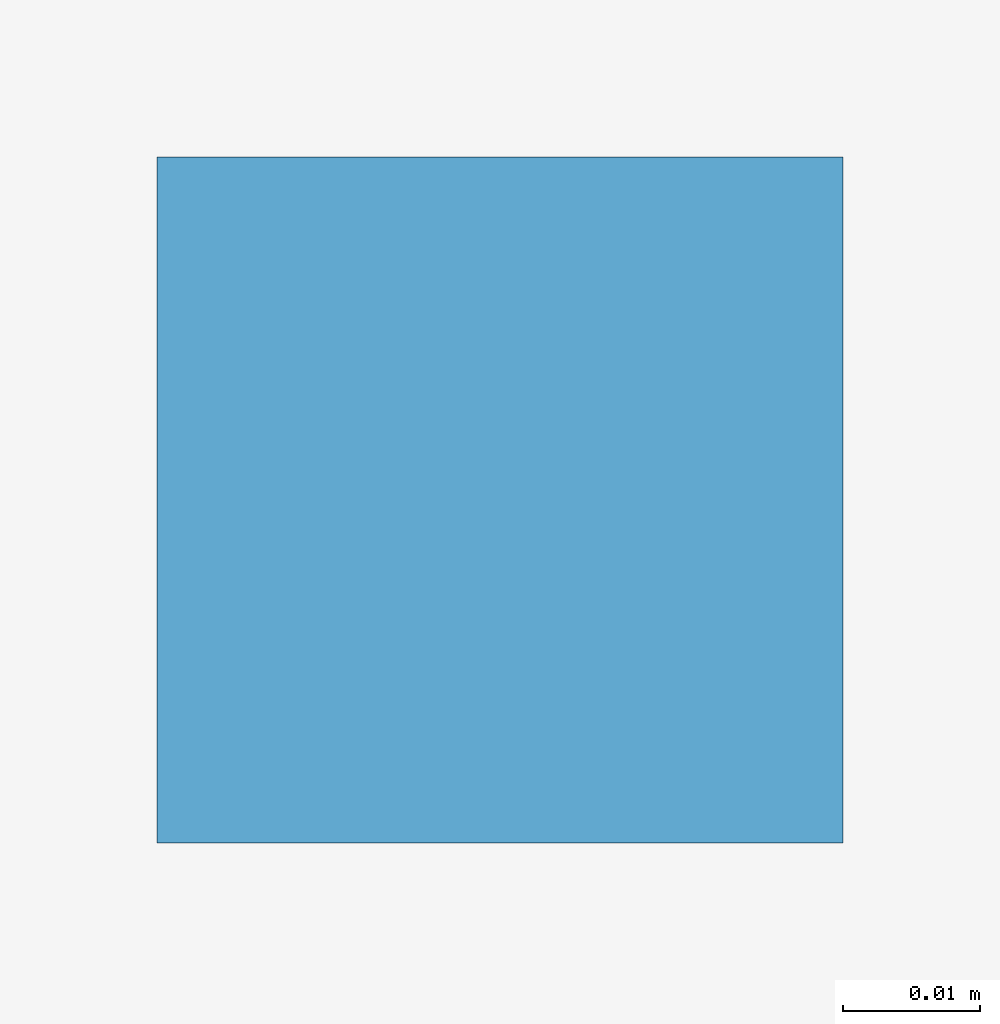
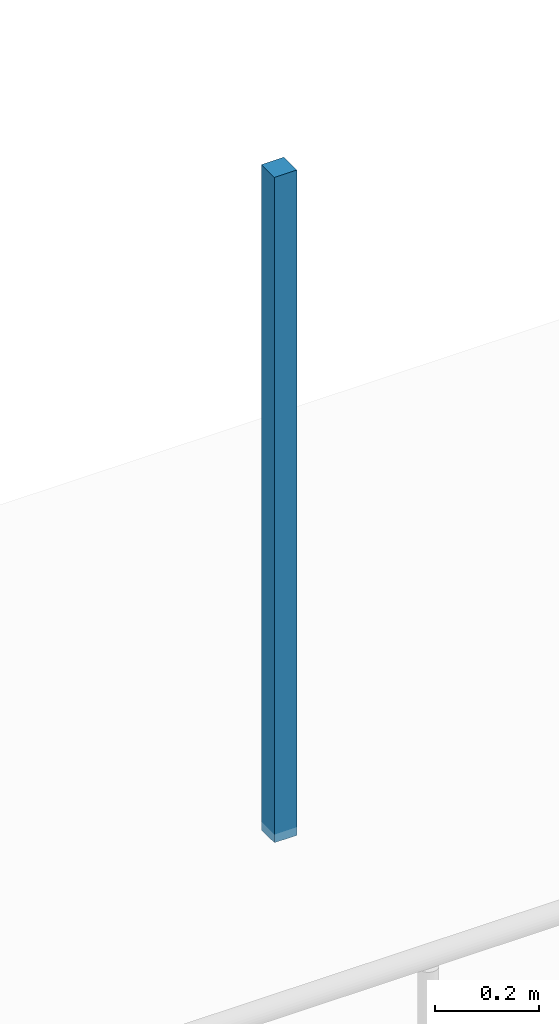
# One storey, part 45 of 56: 1 discrete accessory.
"""IFC4 building model written with IfcOpenShell, lengths in metres."""

from ifc_helpers import new_model, si_unit, direction, frame, origin, origin_2d, place, context, subcontext, project, spatial, rectangle, extrude, material, type_object, element, save


model = new_model("IFC4")

# Units and contexts
model_context = context("Model", 3, precision=1e-05, world=origin(), true_north=direction((0.0, 1.0)))
body_context = subcontext(model_context, "Body", "Model", "MODEL_VIEW")
ifc_project = project(units=[si_unit("LENGTHUNIT", "METRE"), si_unit("AREAUNIT", "SQUARE_METRE"), si_unit("VOLUMEUNIT", "CUBIC_METRE"), si_unit("PLANEANGLEUNIT", "RADIAN"), si_unit("MASSUNIT", "GRAM", prefix="KILO")], contexts=[model_context])

# Site, building, storey
site_placement = place(None, origin())
site = spatial("IfcSite", under=ifc_project, at=site_placement, CompositionType="ELEMENT")
building_placement = place(site_placement, origin())
building = spatial("IfcBuilding", under=site, at=building_placement, Name="Kazehaya Institute of Natural Sciences", CompositionType="ELEMENT")
storey_placement = place(building_placement, origin())
storey = spatial("IfcBuildingStorey", under=building, at=storey_placement, Name="L00", CompositionType="ELEMENT", Elevation=0.0)

# Discrete accessory
ifc_material = material(Name="Structural steel SN490B", Category="steel")
discrete_accessory_type = type_object("IfcDiscreteAccessoryType", Name="ACC-CLG-HGR", PredefinedType="BRACKET", material=ifc_material)
discrete_accessory_placement = place(storey_placement, frame((141.0, 33.574462890625, 3.75244140625), z_axis=(0.0, 0.0, 1.0), x_axis=(1.0, 0.0, 0.0)))
element("IfcDiscreteAccessory", 1, at=discrete_accessory_placement, inside=storey, type_object=discrete_accessory_type, Name="L00 ceiling suspension hanger 7", PredefinedType="BRACKET", context=body_context, shape_type="SweptSolid", body=[
    extrude(rectangle(XDim=0.050048828125, YDim=0.050048828125, at=origin_2d()), origin(), (0.0, 0.0, 1.0), 1.5673828125),
])

save(model, "model.ifc")
